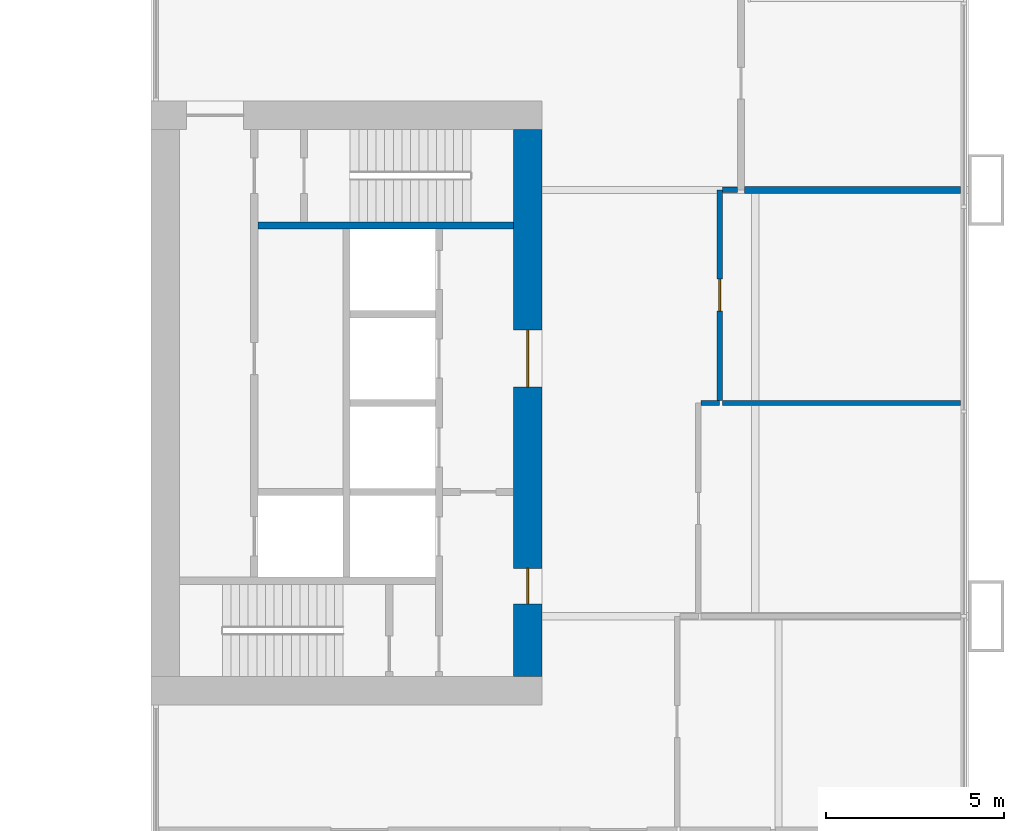
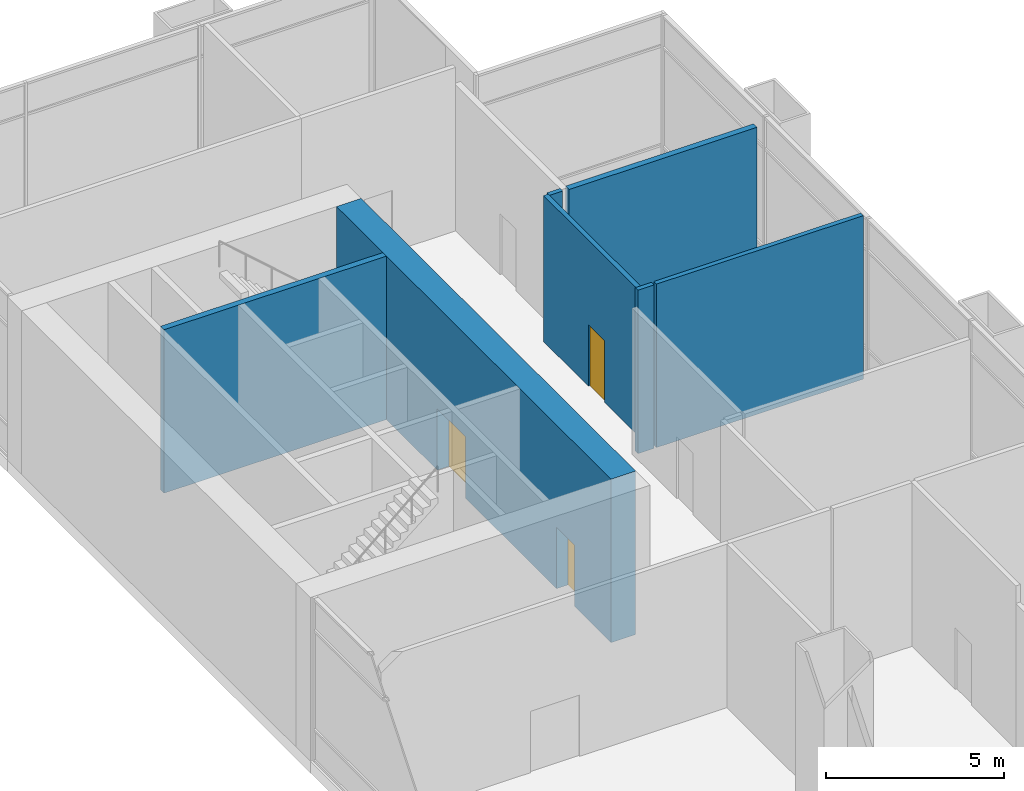
# One storey, part 25 of 30: 7 walls, 3 doors, 3 openings.
"""IFC4 building model written with IfcOpenShell, lengths in metres."""

import ifcopenshell
import ifcopenshell.guid

model = None  # the IFC model being written
_history = None  # IfcOwnerHistory: only IFC2X3 demands one
_inside = {}  # id of a spatial element -> (the spatial element, [elements in it])
_under = {}  # id of a project, library or spatial element -> (it, [spatial elements below it])
_declared = {}  # id of a project -> (the project, [libraries it declares])
_typed = {}  # id of a type object -> (the type object, [elements of that type])
_made_of = {}  # id of a material, layer set ... -> (it, [elements and type objects made of it])


def new_model(schema):
    """Start an empty IFC model of exactly this schema.

    Asked for "IFC4X3", IfcOpenShell would pick the latest addendum, in which some entities
    have other attributes; the version numbers below select the first issue.
    IFC2X3 requires an IfcOwnerHistory on every rooted entity: one is made here for all.
    """
    global model, _history
    if schema == "IFC4X3":
        model = ifcopenshell.file(schema_version=(4, 3, 0, 0))
    else:
        model = ifcopenshell.file(schema=schema)
    _inside.clear()
    _under.clear()
    _declared.clear()
    _typed.clear()
    _made_of.clear()
    _history = None
    if model.schema == "IFC2X3":
        org = make("IfcOrganization", Name="unknown")
        user = make(
            "IfcPersonAndOrganization",
            ThePerson=make("IfcPerson", FamilyName="unknown"),
            TheOrganization=org,
        )
        app = make(
            "IfcApplication",
            ApplicationDeveloper=org,
            Version="unknown",
            ApplicationFullName="unknown",
            ApplicationIdentifier="unknown",
        )
        _history = make(
            "IfcOwnerHistory",
            OwningUser=user,
            OwningApplication=app,
            ChangeAction="ADDED",
            CreationDate=0,
        )
    return model


def make(cls, **values):
    """One entity of the class cls with the attributes given. An attribute that is None is left unset."""
    return model.create_entity(
        cls, **{name: value for name, value in values.items() if value is not None}
    )


def rooted(cls, **values):
    """An entity with a GlobalId (a new one), such as an element, a storey or a relation."""
    return make(cls, GlobalId=ifcopenshell.guid.new(), OwnerHistory=_history, **values)


def si_unit(unit_type, name, prefix=None):
    """IfcSIUnit, for example si_unit("LENGTHUNIT", "METRE", prefix="MILLI")."""
    return make("IfcSIUnit", UnitType=unit_type, Prefix=prefix, Name=name)


def assignment(units):
    """IfcUnitAssignment: the units of a project."""
    return None if units is None else make("IfcUnitAssignment", Units=units)


def point(xyz):
    """IfcCartesianPoint."""
    return None if xyz is None else make("IfcCartesianPoint", Coordinates=xyz)


def direction(xyz):
    """IfcDirection."""
    return None if xyz is None else make("IfcDirection", DirectionRatios=xyz)


def frame(location, z_axis=None, x_axis=None):
    """IfcAxis2Placement3D, a coordinate frame: its origin and axes. An axis left out is left unset."""
    return make(
        "IfcAxis2Placement3D",
        Location=point(location),
        Axis=direction(z_axis),
        RefDirection=direction(x_axis),
    )


def frame_2d(location, x_axis=None):
    """IfcAxis2Placement2D, a coordinate frame in the plane: its origin and x axis."""
    return make(
        "IfcAxis2Placement2D", Location=point(location), RefDirection=direction(x_axis)
    )


def origin():
    """The frame at (0, 0, 0) with its axes left unset."""
    return frame((0.0, 0.0, 0.0))


def place(relative_to, where):
    """IfcLocalPlacement: puts the frame where relative to a parent placement (None: the world)."""
    return make(
        "IfcLocalPlacement", PlacementRelTo=relative_to, RelativePlacement=where
    )


def context(
    kind, dimensions, precision=None, world=None, true_north=None, identifier=None
):
    """IfcGeometricRepresentationContext, for example the 3D "Model" context."""
    return make(
        "IfcGeometricRepresentationContext",
        ContextIdentifier=identifier,
        ContextType=kind,
        CoordinateSpaceDimension=dimensions,
        Precision=precision,
        WorldCoordinateSystem=world,
        TrueNorth=true_north,
    )


def subcontext(parent, identifier, kind, view, scale=None):
    """IfcGeometricRepresentationSubContext, for example "Body" below "Model"."""
    return make(
        "IfcGeometricRepresentationSubContext",
        ContextIdentifier=identifier,
        ContextType=kind,
        ParentContext=parent,
        TargetScale=scale,
        TargetView=view,
    )


def project(units=None, contexts=None):
    """IfcProject with its units and contexts."""
    return rooted(
        "IfcProject",
        Name="project",
        RepresentationContexts=contexts,
        UnitsInContext=assignment(units),
    )


def spatial(cls, under=None, at=None, **own):
    """A site, building, storey or space (cls), placed at a placement, below another one or the project."""
    s = rooted(cls, ObjectPlacement=at, **own)
    if under is not None:
        _under.setdefault(under.id(), (under, []))[1].append(s)
    return s


def profile(cls, at=None, kind="AREA", **sizes):
    """A parametric profile (cls). Its sizes go by their IFC names, for example OverallWidth=200.0."""
    return make(cls, ProfileType=kind, Position=at, **sizes)


def rectangle(**sizes):
    """IfcRectangleProfileDef."""
    return profile("IfcRectangleProfileDef", **sizes)


def extrude(swept, where, along, depth):
    """IfcExtrudedAreaSolid: the profile swept, set in the frame where, extruded along a direction by depth."""
    return make(
        "IfcExtrudedAreaSolid",
        SweptArea=swept,
        Position=where,
        ExtrudedDirection=direction(along),
        Depth=depth,
    )


def shape(context_of_items, identifier, shape_type, items):
    """IfcShapeRepresentation: the items that make up one representation, for example the "Body"."""
    return make(
        "IfcShapeRepresentation",
        ContextOfItems=context_of_items,
        RepresentationIdentifier=identifier,
        RepresentationType=shape_type,
        Items=items,
    )


def material(Name=None, Category=None):
    """IfcMaterial."""
    return make("IfcMaterial", Name=Name, Category=Category)


def layer(
    of_material, thickness, ventilated=None, Name=None, Category=None, Priority=None
):
    """IfcMaterialLayer: one layer of a wall or slab, of a material (None: an air gap)."""
    return make(
        "IfcMaterialLayer",
        Material=of_material,
        LayerThickness=thickness,
        IsVentilated=ventilated,
        Name=Name,
        Category=Category,
        Priority=Priority,
    )


def layer_set(layers, Name=None):
    """IfcMaterialLayerSet."""
    return make("IfcMaterialLayerSet", MaterialLayers=layers, LayerSetName=Name)


def made_of(thing, what):
    """Note that an element or type object is made of a material, layer set ...; save() writes the relation."""
    if what is not None:
        _made_of.setdefault(what.id(), (what, []))[1].append(thing)
    return thing


def type_object(cls, material=None, **own):
    """A type object (cls), such as IfcWallType, which elements share."""
    return made_of(rooted(cls, **own), material)


def element(
    cls,
    number,
    at=None,
    inside=None,
    cuts=None,
    type_object=None,
    material=None,
    context=None,
    identifier="Body",
    shape_type=None,
    held_by="IfcProductDefinitionShape",
    body=None,
    shapes=None,
    **own,
):
    """One element of the class cls, such as IfcWall. Its Tag is "e" and its number.

    at: its placement. inside: the storey or other place that contains it. cuts: it is an
    opening in that element (IfcRelVoidsElement). A single representation is given by context,
    identifier, shape_type and body (its items); several are given by shapes. held_by: the class
    of the entity that holds the representations. save() writes the other relations.
    """
    e = rooted(cls, Tag="e%d" % number, ObjectPlacement=at, **own)
    if body is not None:
        shapes = [shape(context, identifier, shape_type, body)]
    if shapes is not None:
        e.Representation = make(held_by, Representations=shapes)
    if inside is not None:
        _inside.setdefault(inside.id(), (inside, []))[1].append(e)
    if cuts is not None:
        rooted(
            "IfcRelVoidsElement", RelatingBuildingElement=cuts, RelatedOpeningElement=e
        )
    if type_object is not None:
        _typed.setdefault(type_object.id(), (type_object, []))[1].append(e)
    return made_of(e, material)


def fill(opening, filler):
    """IfcRelFillsElement: the door or window that sits in an opening."""
    return rooted(
        "IfcRelFillsElement",
        RelatingOpeningElement=opening,
        RelatedBuildingElement=filler,
    )


def aggregate(whole, parts):
    """IfcRelAggregates: a whole, such as a stair, and the parts it consists of."""
    return rooted("IfcRelAggregates", RelatingObject=whole, RelatedObjects=parts)


def save(model, path):
    """Write the relations noted so far, then the file.

    IfcRelAggregates (storeys below a building ...), IfcRelContainedInSpatialStructure (elements
    in a storey), IfcRelDefinesByType, IfcRelAssociatesMaterial and IfcRelDeclares: one each for
    every whole, place, type object, material and project.
    """
    for whole, parts in _under.values():
        aggregate(whole, parts)
    for where, things in _inside.values():
        rooted(
            "IfcRelContainedInSpatialStructure",
            RelatedElements=things,
            RelatingStructure=where,
        )
    for kind, things in _typed.values():
        rooted("IfcRelDefinesByType", RelatedObjects=things, RelatingType=kind)
    for what, things in _made_of.values():
        rooted("IfcRelAssociatesMaterial", RelatedObjects=things, RelatingMaterial=what)
    for by, libraries in _declared.values():
        rooted("IfcRelDeclares", RelatingContext=by, RelatedDefinitions=libraries)
    model.write(path)


model = new_model("IFC4")

# Units and contexts
model_context = context("Model", 3, precision=1e-05, world=origin(), true_north=direction((0.0, 1.0)))
body_context = subcontext(model_context, "Body", "Model", "MODEL_VIEW")
ifc_project = project(units=[si_unit("LENGTHUNIT", "METRE"), si_unit("AREAUNIT", "SQUARE_METRE"), si_unit("VOLUMEUNIT", "CUBIC_METRE"), si_unit("PLANEANGLEUNIT", "RADIAN"), si_unit("MASSUNIT", "GRAM", prefix="KILO")], contexts=[model_context])

# Site, building, storey
site_placement = place(None, origin())
site = spatial("IfcSite", under=ifc_project, at=site_placement, CompositionType="ELEMENT")
building_placement = place(site_placement, origin())
building = spatial("IfcBuilding", under=site, at=building_placement, Name="Kitamizu Gate Tower and Museum", CompositionType="ELEMENT")
storey_placement = place(building_placement, frame((0.0, 0.0, 6.0)))
storey = spatial("IfcBuildingStorey", under=building, at=storey_placement, Name="L01", CompositionType="ELEMENT", Elevation=6.0)

# Wall, openings, doors
ifc_material_1 = material(Name="Concrete Fc60", Category="concrete")
ifc_layer_1 = layer(ifc_material_1, 0.800048828125)
ifc_layer_set_1 = layer_set([ifc_layer_1], Name="Concrete Fc60")
wall_type_1 = type_object("IfcWallType", Name="Core wall 800", PredefinedType="SHEAR", material=ifc_layer_set_1)
wall_1_placement = place(storey_placement, frame((59.10009765625, 22.300048828125, 0.0), z_axis=(0.0, 0.0, 1.0), x_axis=(0.0, 1.0, 0.0)))
wall_1 = element("IfcWall", 1, at=wall_1_placement, inside=storey, type_object=wall_type_1, Name="Core wall EOUT", PredefinedType="SHEAR", context=body_context, shape_type="SweptSolid", body=[
    extrude(rectangle(XDim=15.39990234375, YDim=0.800048828125, at=frame_2d((7.699951171875, 0.0))), origin(), (0.0, 0.0, 1.0), 5.60009765625),
])
opening_1_placement = place(wall_1_placement, frame((8.14990234375, 0.0, 0.0)))
opening_1 = element("IfcOpeningElement", 2, at=opening_1_placement, cuts=wall_1, Name="Opening L01-033", PredefinedType="OPENING", context=body_context, shape_type="SweptSolid", body=[
    extrude(rectangle(XDim=1.60009765625, YDim=2.10009765625, at=frame_2d((0.800048828125, 1.050048828125))), frame((0.0, 0.41015625, 0.0), z_axis=(0.0, -1.0, 0.0), x_axis=(1.0, 0.0, 0.0)), (0.0, 0.0, 1.0), 0.820068359375),
])
opening_2_placement = place(wall_1_placement, frame((2.050048828125, 0.0, 0.0)))
opening_2 = element("IfcOpeningElement", 3, at=opening_2_placement, cuts=wall_1, Name="Opening L01-034", PredefinedType="OPENING", context=body_context, shape_type="SweptSolid", body=[
    extrude(rectangle(XDim=1.0, YDim=2.10009765625, at=frame_2d((0.5, 1.050048828125))), frame((0.0, 0.41015625, 0.0), z_axis=(0.0, -1.0, 0.0), x_axis=(1.0, 0.0, 0.0)), (0.0, 0.0, 1.0), 0.820068359375),
])
ifc_material_2 = material(Name="Timber door set", Category="wood")
door_type_1 = type_object("IfcDoorType", Name="Entrance door 1600", OperationType="DOUBLE_DOOR_SINGLE_SWING", PredefinedType="DOOR", material=ifc_material_2)
door_1_placement = place(opening_1_placement, origin())
door_1 = element("IfcDoor", 4, at=door_1_placement, inside=storey, type_object=door_type_1, Name="Lobby door L01-033", OperationType="DOUBLE_DOOR_SINGLE_SWING", OverallHeight=2.10009765625, OverallWidth=1.60009765625, PredefinedType="DOOR", context=body_context, shape_type="SweptSolid", body=[
    extrude(rectangle(XDim=1.60009765625, YDim=2.10009765625, at=frame_2d((0.800048828125, 1.050048828125))), frame((0.0, 0.02490234375, 0.0), z_axis=(0.0, -1.0, 0.0), x_axis=(1.0, 0.0, 0.0)), (0.0, 0.0, 1.0), 0.050048828125),
])
fill(opening_1, door_1)
ifc_material_3 = material(Name="Hollow metal door set")
door_type_2 = type_object("IfcDoorType", Name="Fire door 1000", OperationType="NOTDEFINED", PredefinedType="DOOR", material=ifc_material_3)
door_2_placement = place(opening_2_placement, origin())
door_2 = element("IfcDoor", 5, at=door_2_placement, inside=storey, type_object=door_type_2, Name="Fire-fighting lobby door L01-034", OperationType="SINGLE_SWING_LEFT", OverallHeight=2.10009765625, OverallWidth=1.0, PredefinedType="DOOR", context=body_context, shape_type="SweptSolid", body=[
    extrude(rectangle(XDim=1.0, YDim=2.10009765625, at=frame_2d((0.5, 1.050048828125))), frame((0.0, 0.02490234375, 0.0), z_axis=(0.0, -1.0, 0.0), x_axis=(1.0, 0.0, 0.0)), (0.0, 0.0, 1.0), 0.050048828125),
])
fill(opening_2, door_2)

# Wall
ifc_material_4 = material(Name="Gypsum board on galvanised stud")
ifc_layer_2 = layer(ifc_material_4, 0.14990234375)
ifc_layer_set_2 = layer_set([ifc_layer_2], Name="Gypsum board on galvanised stud")
wall_type_2 = type_object("IfcWallType", Name="Partition 150", PredefinedType="PARTITIONING", material=ifc_layer_set_2)
wall_2_placement = place(storey_placement, frame((63.97509765625, 30.0, 0.0), z_axis=(0.0, 0.0, 1.0), x_axis=(1.0, 0.0, 0.0)))
element("IfcWall", 6, at=wall_2_placement, inside=storey, type_object=wall_type_2, Name="Partition L01-018", PredefinedType="PARTITIONING", context=body_context, shape_type="SweptSolid", body=[
    extrude(rectangle(XDim=0.52490234375, YDim=0.14990234375, at=frame_2d((0.262451171875, 0.0))), origin(), (0.0, 0.0, 1.0), 5.60009765625),
])

# Wall, opening, door
wall_3_placement = place(storey_placement, frame((64.5, 30.074951171875, 0.0), z_axis=(0.0, 0.0, 1.0), x_axis=(0.0, 1.0, 0.0)))
wall_3 = element("IfcWall", 7, at=wall_3_placement, inside=storey, type_object=wall_type_2, Name="Partition L01-019", PredefinedType="PARTITIONING", context=body_context, shape_type="SweptSolid", body=[
    extrude(rectangle(XDim=5.925048828125, YDim=0.14990234375, at=frame_2d((2.96240234375, 0.0))), origin(), (0.0, 0.0, 1.0), 5.0),
])
opening_3_placement = place(wall_3_placement, frame((2.512451171875, 0.0, 0.0)))
opening_3 = element("IfcOpeningElement", 8, at=opening_3_placement, cuts=wall_3, Name="Opening L01-006", PredefinedType="OPENING", context=body_context, shape_type="SweptSolid", body=[
    extrude(rectangle(XDim=0.89990234375, YDim=2.10009765625, at=frame_2d((0.449951171875, 1.050048828125))), frame((0.0, 0.0849609375, 0.0), z_axis=(0.0, -1.0, 0.0), x_axis=(1.0, 0.0, 0.0)), (0.0, 0.0, 1.0), 0.169921875),
])
ifc_material_5 = material(Name="Timber door set", Category="wood")
door_type_3 = type_object("IfcDoorType", Name="Room door 900", OperationType="NOTDEFINED", PredefinedType="DOOR", material=ifc_material_5)
door_3_placement = place(opening_3_placement, frame((0.89990234375, 0.0, 0.0), x_axis=(-1.0, 0.0, 0.0)))
door_3 = element("IfcDoor", 9, at=door_3_placement, inside=storey, type_object=door_type_3, Name="Door L01-006", OperationType="SINGLE_SWING_RIGHT", OverallHeight=2.10009765625, OverallWidth=0.89990234375, PredefinedType="DOOR", context=body_context, shape_type="SweptSolid", body=[
    extrude(rectangle(XDim=0.89990234375, YDim=2.10009765625, at=frame_2d((0.449951171875, 1.050048828125))), frame((0.0, 0.02490234375, 0.0), z_axis=(0.0, -1.0, 0.0), x_axis=(1.0, 0.0, 0.0)), (0.0, 0.0, 1.0), 0.050048828125),
])
fill(opening_3, door_3)

# Walls
wall_4_placement = place(storey_placement, frame((64.574951171875, 36.0, 0.0), z_axis=(0.0, 0.0, 1.0), x_axis=(1.0, 0.0, 0.0)))
element("IfcWall", 10, at=wall_4_placement, inside=storey, type_object=wall_type_2, Name="Partition L01-020", PredefinedType="PARTITIONING", context=body_context, shape_type="SweptSolid", body=[
    extrude(rectangle(XDim=0.425048828125, YDim=0.14990234375, at=frame_2d((0.21240234375, 0.0))), origin(), (0.0, 0.0, 1.0), 5.0),
])
wall_5_placement = place(storey_placement, frame((71.280029296875, 30.0, 0.0), z_axis=(0.0, 0.0, 1.0), x_axis=(-1.0, 0.0, 0.0)))
element("IfcWall", 11, at=wall_5_placement, inside=storey, type_object=wall_type_2, Name="Partition L01-031", PredefinedType="PARTITIONING", context=body_context, shape_type="SweptSolid", body=[
    extrude(rectangle(XDim=6.705078125, YDim=0.14990234375, at=frame_2d((3.3525390625, 0.0))), origin(), (0.0, 0.0, 1.0), 5.60009765625),
])
ifc_material_6 = material(Name="Gypsum board on galvanised stud")
ifc_layer_3 = layer(ifc_material_6, 0.199951171875)
ifc_layer_set_3 = layer_set([ifc_layer_3], Name="Gypsum board on galvanised stud")
wall_type_3 = type_object("IfcWallType", Name="Partition 200", PredefinedType="PARTITIONING", material=ifc_layer_set_3)
wall_6_placement = place(storey_placement, frame((71.280029296875, 36.0, 0.0), z_axis=(0.0, 0.0, 1.0), x_axis=(-1.0, 0.0, 0.0)))
element("IfcWall", 12, at=wall_6_placement, inside=storey, type_object=wall_type_3, Name="Partition L01-032", PredefinedType="PARTITIONING", context=body_context, shape_type="SweptSolid", body=[
    extrude(rectangle(XDim=6.080078125, YDim=0.199951171875, at=frame_2d((3.0400390625, 0.0))), origin(), (0.0, 0.0, 1.0), 5.0),
])
ifc_material_7 = material(Name="Concrete Fc42", Category="concrete")
ifc_layer_4 = layer(ifc_material_7, 0.199951171875)
ifc_layer_set_4 = layer_set([ifc_layer_4], Name="Concrete Fc42")
wall_type_4 = type_object("IfcWallType", Name="Shaft wall 200", PredefinedType="SOLIDWALL", material=ifc_layer_set_4)
wall_7_placement = place(storey_placement, frame((58.699951171875, 35.0, 0.0), z_axis=(0.0, 0.0, 1.0), x_axis=(-1.0, 0.0, 0.0)))
element("IfcWall", 13, at=wall_7_placement, inside=storey, type_object=wall_type_4, Name="Shaft wall ENB", PredefinedType="SOLIDWALL", context=body_context, shape_type="SweptSolid", body=[
    extrude(rectangle(XDim=7.199951171875, YDim=0.199951171875, at=frame_2d((3.60009765625, 0.0))), origin(), (0.0, 0.0, 1.0), 5.60009765625),
])

save(model, "model.ifc")
